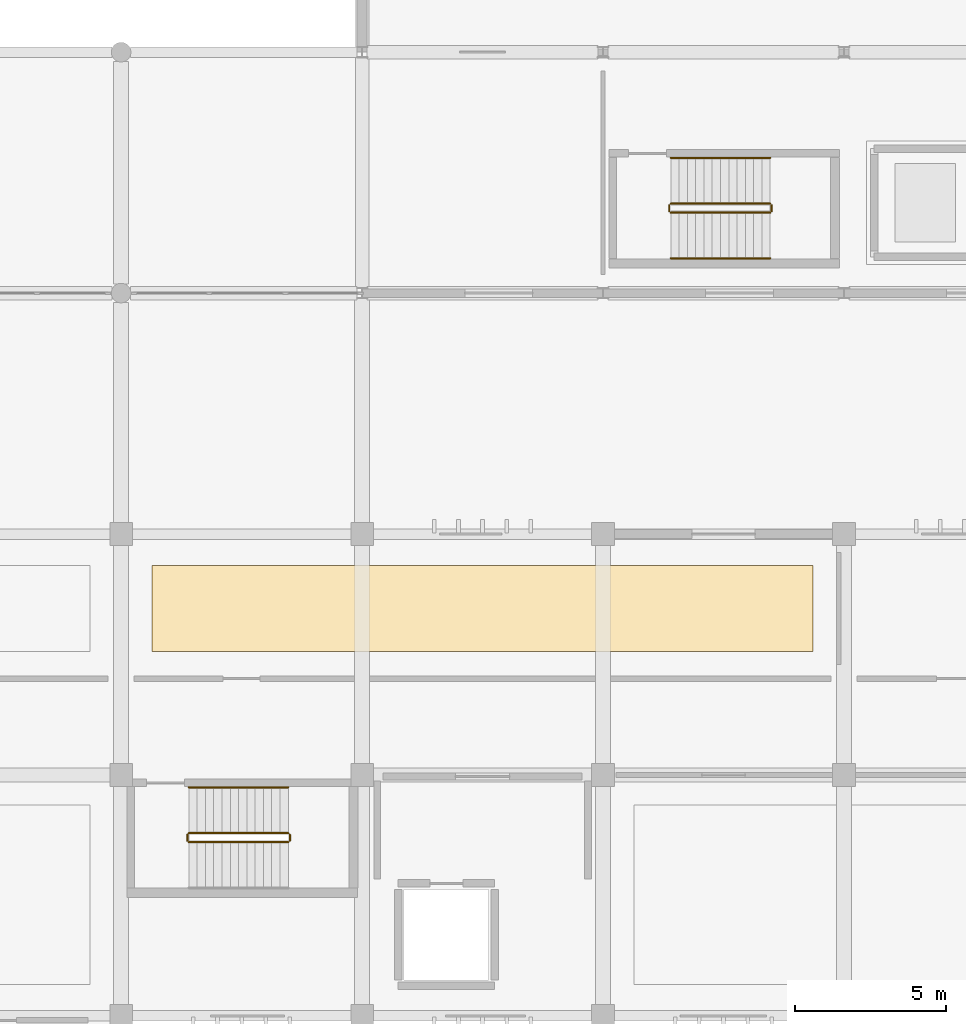
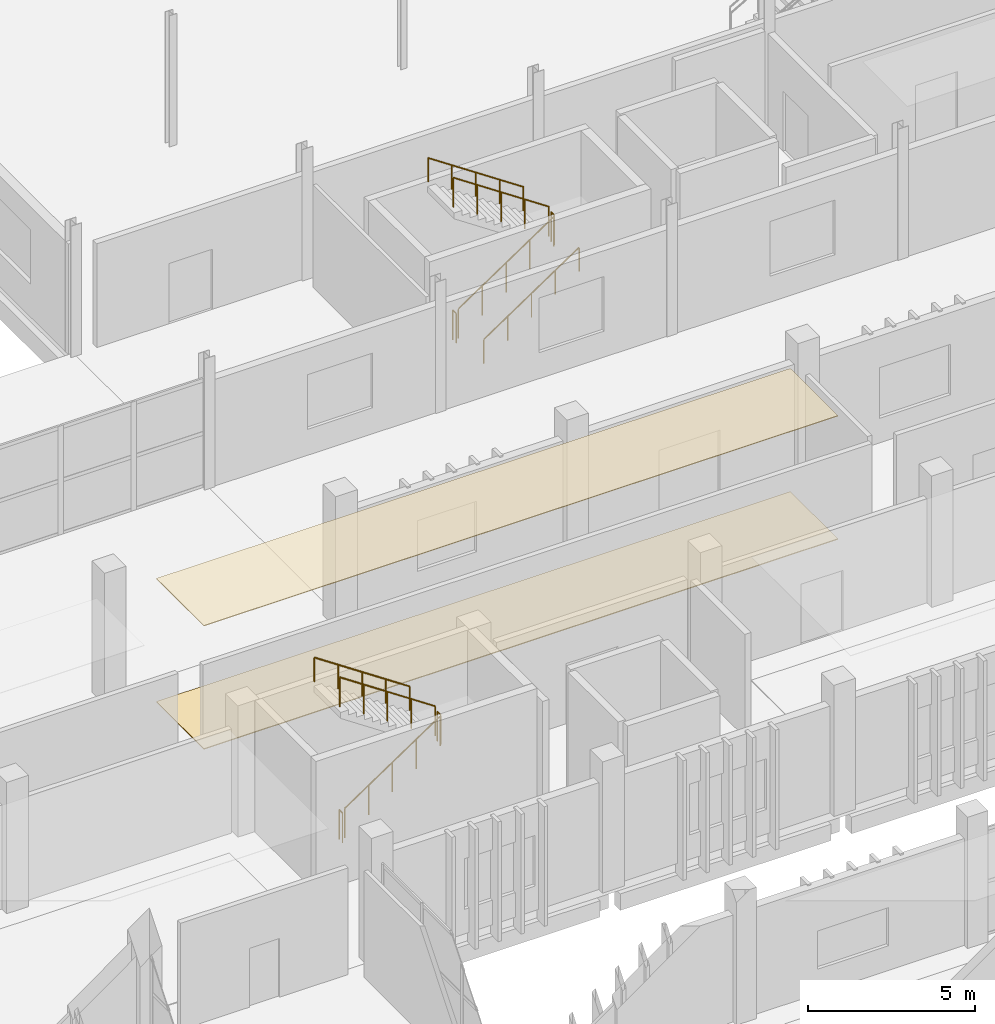
# One storey, part 110 of 117: 11 railings, 2 coverings.
"""IFC4 building model written with IfcOpenShell, lengths in metres."""

import ifcopenshell
import ifcopenshell.guid

model = None  # the IFC model being written
_history = None  # IfcOwnerHistory: only IFC2X3 demands one
_inside = {}  # id of a spatial element -> (the spatial element, [elements in it])
_under = {}  # id of a project, library or spatial element -> (it, [spatial elements below it])
_declared = {}  # id of a project -> (the project, [libraries it declares])
_typed = {}  # id of a type object -> (the type object, [elements of that type])
_made_of = {}  # id of a material, layer set ... -> (it, [elements and type objects made of it])


def new_model(schema):
    """Start an empty IFC model of exactly this schema.

    Asked for "IFC4X3", IfcOpenShell would pick the latest addendum, in which some entities
    have other attributes; the version numbers below select the first issue.
    IFC2X3 requires an IfcOwnerHistory on every rooted entity: one is made here for all.
    """
    global model, _history
    if schema == "IFC4X3":
        model = ifcopenshell.file(schema_version=(4, 3, 0, 0))
    else:
        model = ifcopenshell.file(schema=schema)
    _inside.clear()
    _under.clear()
    _declared.clear()
    _typed.clear()
    _made_of.clear()
    _history = None
    if model.schema == "IFC2X3":
        org = make("IfcOrganization", Name="unknown")
        user = make(
            "IfcPersonAndOrganization",
            ThePerson=make("IfcPerson", FamilyName="unknown"),
            TheOrganization=org,
        )
        app = make(
            "IfcApplication",
            ApplicationDeveloper=org,
            Version="unknown",
            ApplicationFullName="unknown",
            ApplicationIdentifier="unknown",
        )
        _history = make(
            "IfcOwnerHistory",
            OwningUser=user,
            OwningApplication=app,
            ChangeAction="ADDED",
            CreationDate=0,
        )
    return model


def make(cls, **values):
    """One entity of the class cls with the attributes given. An attribute that is None is left unset."""
    return model.create_entity(
        cls, **{name: value for name, value in values.items() if value is not None}
    )


def rooted(cls, **values):
    """An entity with a GlobalId (a new one), such as an element, a storey or a relation."""
    return make(cls, GlobalId=ifcopenshell.guid.new(), OwnerHistory=_history, **values)


def si_unit(unit_type, name, prefix=None):
    """IfcSIUnit, for example si_unit("LENGTHUNIT", "METRE", prefix="MILLI")."""
    return make("IfcSIUnit", UnitType=unit_type, Prefix=prefix, Name=name)


def assignment(units):
    """IfcUnitAssignment: the units of a project."""
    return None if units is None else make("IfcUnitAssignment", Units=units)


def point(xyz):
    """IfcCartesianPoint."""
    return None if xyz is None else make("IfcCartesianPoint", Coordinates=xyz)


def direction(xyz):
    """IfcDirection."""
    return None if xyz is None else make("IfcDirection", DirectionRatios=xyz)


def frame(location, z_axis=None, x_axis=None):
    """IfcAxis2Placement3D, a coordinate frame: its origin and axes. An axis left out is left unset."""
    return make(
        "IfcAxis2Placement3D",
        Location=point(location),
        Axis=direction(z_axis),
        RefDirection=direction(x_axis),
    )


def frame_2d(location, x_axis=None):
    """IfcAxis2Placement2D, a coordinate frame in the plane: its origin and x axis."""
    return make(
        "IfcAxis2Placement2D", Location=point(location), RefDirection=direction(x_axis)
    )


def origin():
    """The frame at (0, 0, 0) with its axes left unset."""
    return frame((0.0, 0.0, 0.0))


def origin_2d():
    """The frame at (0, 0) in the plane with its x axis left unset."""
    return frame_2d((0.0, 0.0))


def place(relative_to, where):
    """IfcLocalPlacement: puts the frame where relative to a parent placement (None: the world)."""
    return make(
        "IfcLocalPlacement", PlacementRelTo=relative_to, RelativePlacement=where
    )


def context(
    kind, dimensions, precision=None, world=None, true_north=None, identifier=None
):
    """IfcGeometricRepresentationContext, for example the 3D "Model" context."""
    return make(
        "IfcGeometricRepresentationContext",
        ContextIdentifier=identifier,
        ContextType=kind,
        CoordinateSpaceDimension=dimensions,
        Precision=precision,
        WorldCoordinateSystem=world,
        TrueNorth=true_north,
    )


def subcontext(parent, identifier, kind, view, scale=None):
    """IfcGeometricRepresentationSubContext, for example "Body" below "Model"."""
    return make(
        "IfcGeometricRepresentationSubContext",
        ContextIdentifier=identifier,
        ContextType=kind,
        ParentContext=parent,
        TargetScale=scale,
        TargetView=view,
    )


def project(units=None, contexts=None):
    """IfcProject with its units and contexts."""
    return rooted(
        "IfcProject",
        Name="project",
        RepresentationContexts=contexts,
        UnitsInContext=assignment(units),
    )


def spatial(cls, under=None, at=None, **own):
    """A site, building, storey or space (cls), placed at a placement, below another one or the project."""
    s = rooted(cls, ObjectPlacement=at, **own)
    if under is not None:
        _under.setdefault(under.id(), (under, []))[1].append(s)
    return s


def polyline(points):
    """IfcPolyline through the points."""
    return make("IfcPolyline", Points=[point(p) for p in points])


def profile(cls, at=None, kind="AREA", **sizes):
    """A parametric profile (cls). Its sizes go by their IFC names, for example OverallWidth=200.0."""
    return make(cls, ProfileType=kind, Position=at, **sizes)


def circle(**sizes):
    """IfcCircleProfileDef."""
    return profile("IfcCircleProfileDef", **sizes)


def outline(outer, holes=None, kind="AREA"):
    """IfcArbitraryClosedProfileDef: a profile drawn as a closed curve; with holes, ...WithVoids."""
    if holes is None:
        return make("IfcArbitraryClosedProfileDef", ProfileType=kind, OuterCurve=outer)
    return make(
        "IfcArbitraryProfileDefWithVoids",
        ProfileType=kind,
        OuterCurve=outer,
        InnerCurves=holes,
    )


def extrude(swept, where, along, depth):
    """IfcExtrudedAreaSolid: the profile swept, set in the frame where, extruded along a direction by depth."""
    return make(
        "IfcExtrudedAreaSolid",
        SweptArea=swept,
        Position=where,
        ExtrudedDirection=direction(along),
        Depth=depth,
    )


def shape(context_of_items, identifier, shape_type, items):
    """IfcShapeRepresentation: the items that make up one representation, for example the "Body"."""
    return make(
        "IfcShapeRepresentation",
        ContextOfItems=context_of_items,
        RepresentationIdentifier=identifier,
        RepresentationType=shape_type,
        Items=items,
    )


def material(Name=None, Category=None):
    """IfcMaterial."""
    return make("IfcMaterial", Name=Name, Category=Category)


def layer(
    of_material, thickness, ventilated=None, Name=None, Category=None, Priority=None
):
    """IfcMaterialLayer: one layer of a wall or slab, of a material (None: an air gap)."""
    return make(
        "IfcMaterialLayer",
        Material=of_material,
        LayerThickness=thickness,
        IsVentilated=ventilated,
        Name=Name,
        Category=Category,
        Priority=Priority,
    )


def layer_set(layers, Name=None):
    """IfcMaterialLayerSet."""
    return make("IfcMaterialLayerSet", MaterialLayers=layers, LayerSetName=Name)


def made_of(thing, what):
    """Note that an element or type object is made of a material, layer set ...; save() writes the relation."""
    if what is not None:
        _made_of.setdefault(what.id(), (what, []))[1].append(thing)
    return thing


def type_object(cls, material=None, **own):
    """A type object (cls), such as IfcWallType, which elements share."""
    return made_of(rooted(cls, **own), material)


def element(
    cls,
    number,
    at=None,
    inside=None,
    cuts=None,
    type_object=None,
    material=None,
    context=None,
    identifier="Body",
    shape_type=None,
    held_by="IfcProductDefinitionShape",
    body=None,
    shapes=None,
    **own,
):
    """One element of the class cls, such as IfcWall. Its Tag is "e" and its number.

    at: its placement. inside: the storey or other place that contains it. cuts: it is an
    opening in that element (IfcRelVoidsElement). A single representation is given by context,
    identifier, shape_type and body (its items); several are given by shapes. held_by: the class
    of the entity that holds the representations. save() writes the other relations.
    """
    e = rooted(cls, Tag="e%d" % number, ObjectPlacement=at, **own)
    if body is not None:
        shapes = [shape(context, identifier, shape_type, body)]
    if shapes is not None:
        e.Representation = make(held_by, Representations=shapes)
    if inside is not None:
        _inside.setdefault(inside.id(), (inside, []))[1].append(e)
    if cuts is not None:
        rooted(
            "IfcRelVoidsElement", RelatingBuildingElement=cuts, RelatedOpeningElement=e
        )
    if type_object is not None:
        _typed.setdefault(type_object.id(), (type_object, []))[1].append(e)
    return made_of(e, material)


def aggregate(whole, parts):
    """IfcRelAggregates: a whole, such as a stair, and the parts it consists of."""
    return rooted("IfcRelAggregates", RelatingObject=whole, RelatedObjects=parts)


def save(model, path):
    """Write the relations noted so far, then the file.

    IfcRelAggregates (storeys below a building ...), IfcRelContainedInSpatialStructure (elements
    in a storey), IfcRelDefinesByType, IfcRelAssociatesMaterial and IfcRelDeclares: one each for
    every whole, place, type object, material and project.
    """
    for whole, parts in _under.values():
        aggregate(whole, parts)
    for where, things in _inside.values():
        rooted(
            "IfcRelContainedInSpatialStructure",
            RelatedElements=things,
            RelatingStructure=where,
        )
    for kind, things in _typed.values():
        rooted("IfcRelDefinesByType", RelatedObjects=things, RelatingType=kind)
    for what, things in _made_of.values():
        rooted("IfcRelAssociatesMaterial", RelatedObjects=things, RelatingMaterial=what)
    for by, libraries in _declared.values():
        rooted("IfcRelDeclares", RelatingContext=by, RelatedDefinitions=libraries)
    model.write(path)


model = new_model("IFC4")

# Units and contexts
model_context = context("Model", 3, precision=1e-05, world=origin(), true_north=direction((0.0, 1.0)))
body_context = subcontext(model_context, "Body", "Model", "MODEL_VIEW")
ifc_project = project(units=[si_unit("LENGTHUNIT", "METRE"), si_unit("AREAUNIT", "SQUARE_METRE"), si_unit("VOLUMEUNIT", "CUBIC_METRE"), si_unit("PLANEANGLEUNIT", "RADIAN"), si_unit("MASSUNIT", "GRAM", prefix="KILO")], contexts=[model_context])

# Site, building, storey
site_placement = place(None, origin())
site = spatial("IfcSite", under=ifc_project, at=site_placement, CompositionType="ELEMENT")
building_placement = place(site_placement, origin())
building = spatial("IfcBuilding", under=site, at=building_placement, Name="Jelvoka-Kovrelna Polytechnic", CompositionType="ELEMENT")
storey_placement = place(building_placement, origin())
storey = spatial("IfcBuildingStorey", under=building, at=storey_placement, Name="L01", CompositionType="ELEMENT", Elevation=0.0)

# Coverings
ifc_material_1 = material(Name="Mineral fibre acoustic ceiling tile")
ifc_layer_1 = layer(ifc_material_1, 0.02490234375)
ifc_layer_set_1 = layer_set([ifc_layer_1], Name="Mineral fibre acoustic ceiling tile")
covering_type_1 = type_object("IfcCoveringType", Name="Covering_Acoustic_Ceiling_25", PredefinedType="CEILING", material=ifc_layer_set_1)
covering_1_placement = place(storey_placement, frame((0.0, 0.0, 4.510009765625)))
element("IfcCovering", 1, at=covering_1_placement, inside=storey, type_object=covering_type_1, Name="L01 acoustic ceiling 014", PredefinedType="CEILING", context=body_context, shape_type="SweptSolid", body=[
    extrude(outline(polyline([(81.030029296875, 68.10009765625), (102.969970703125, 68.10009765625), (102.969970703125, 70.949951171875), (81.030029296875, 70.949951171875), (81.030029296875, 68.10009765625)])), origin(), (0.0, 0.0, 1.0), 0.02490234375),
])
ifc_material_2 = material(Name="Polished epoxy terrazzo flooring")
ifc_layer_2 = layer(ifc_material_2, 0.030029296875)
ifc_layer_set_2 = layer_set([ifc_layer_2], Name="Polished epoxy terrazzo flooring")
covering_type_2 = type_object("IfcCoveringType", Name="Covering_Terrazzo_Floor_30", PredefinedType="FLOORING", material=ifc_layer_set_2)
covering_2_placement = place(storey_placement, origin())
element("IfcCovering", 2, at=covering_2_placement, inside=storey, type_object=covering_type_2, Name="L01 terrazzo floor finish 014", PredefinedType="FLOORING", context=body_context, shape_type="SweptSolid", body=[
    extrude(outline(polyline([(81.030029296875, 68.10009765625), (102.969970703125, 68.10009765625), (102.969970703125, 70.949951171875), (81.030029296875, 70.949951171875), (81.030029296875, 68.10009765625)])), origin(), (0.0, 0.0, 1.0), 0.030029296875),
])

# Railings
ifc_material_3 = material(Name="Powder-coated steel stair guard", Category="steel")
railing_type_1 = type_object("IfcRailingType", Name="Railing_Stair_Guard_1100", PredefinedType="GUARDRAIL", material=ifc_material_3)
railing_1_placement = place(storey_placement, frame((98.25, 82.669921875, 0.1845703125)))
element("IfcRailing", 3, at=railing_1_placement, inside=storey, type_object=railing_type_1, Name="L01 ST01 stair guard 1", PredefinedType="GUARDRAIL", context=body_context, shape_type="SweptSolid", body=[
    extrude(circle(Radius=0.02392578125, at=origin_2d()), frame((0.0, 0.0, 1.076171875), z_axis=(0.830269453126, 0.0, 0.557362211857), x_axis=(0.0, 1.0, 0.0)), (0.0, 0.0, 1.0), 3.974609375),
    extrude(circle(Radius=0.02099609375, at=origin_2d()), origin(), (0.0, 0.0, 1.0), 1.052001953125),
    extrude(circle(Radius=0.02099609375, at=origin_2d()), frame((0.824951171875, 0.0, 0.5537109375)), (0.0, 0.0, 1.0), 1.052001953125),
    extrude(circle(Radius=0.02099609375, at=origin_2d()), frame((1.64990234375, 0.0, 1.107666015625)), (0.0, 0.0, 1.0), 1.052001953125),
    extrude(circle(Radius=0.02099609375, at=origin_2d()), frame((2.47509765625, 0.0, 1.66162109375)), (0.0, 0.0, 1.0), 1.052001953125),
    extrude(circle(Radius=0.02099609375, at=origin_2d()), frame((3.300048828125, 0.0, 2.21533203125)), (0.0, 0.0, 1.0), 1.052001953125),
])
railing_2_placement = place(storey_placement, frame((101.60009765625, 82.719970703125, 2.39990234375)))
element("IfcRailing", 4, at=railing_2_placement, inside=storey, type_object=railing_type_1, Name="L01 ST01 stair guard 2", PredefinedType="GUARDRAIL", context=body_context, shape_type="SweptSolid", body=[
    extrude(circle(Radius=0.02392578125, at=origin_2d()), frame((0.0, 0.0, 1.076171875), z_axis=(0.0, 1.0, 0.0), x_axis=(-1.0, 0.0, 0.0)), (0.0, 0.0, 1.0), 0.199951171875),
    extrude(circle(Radius=0.02099609375, at=origin_2d()), origin(), (0.0, 0.0, 1.0), 1.052001953125),
    extrude(circle(Radius=0.02099609375, at=origin_2d()), frame((0.0, 0.199951171875, 0.0)), (0.0, 0.0, 1.0), 1.052001953125),
])
railing_3_placement = place(storey_placement, frame((101.550048828125, 82.969970703125, 2.584716796875)))
element("IfcRailing", 5, at=railing_3_placement, inside=storey, type_object=railing_type_1, Name="L01 ST01 stair guard 3", PredefinedType="GUARDRAIL", context=body_context, shape_type="SweptSolid", body=[
    extrude(circle(Radius=0.02392578125, at=origin_2d()), frame((0.0, 0.0, 1.076171875), z_axis=(-0.830269453126, 0.0, 0.557362211857), x_axis=(0.0, -1.0, 0.0)), (0.0, 0.0, 1.0), 3.974609375),
    extrude(circle(Radius=0.02099609375, at=origin_2d()), origin(), (0.0, 0.0, 1.0), 1.052001953125),
    extrude(circle(Radius=0.02099609375, at=origin_2d()), frame((-0.824951171875, 0.0, 0.5537109375)), (0.0, 0.0, 1.0), 1.052001953125),
    extrude(circle(Radius=0.02099609375, at=origin_2d()), frame((-1.64990234375, 0.0, 1.107666015625)), (0.0, 0.0, 1.0), 1.052001953125),
    extrude(circle(Radius=0.02099609375, at=origin_2d()), frame((-2.47509765625, 0.0, 1.66162109375)), (0.0, 0.0, 1.0), 1.052001953125),
    extrude(circle(Radius=0.02099609375, at=origin_2d()), frame((-3.300048828125, 0.0, 2.21533203125)), (0.0, 0.0, 1.0), 1.052001953125),
])
railing_4_placement = place(storey_placement, frame((98.199951171875, 82.719970703125, 0.0)))
element("IfcRailing", 6, at=railing_4_placement, inside=storey, type_object=railing_type_1, Name="L01 ST01 stair guard 4", PredefinedType="GUARDRAIL", context=body_context, shape_type="SweptSolid", body=[
    extrude(circle(Radius=0.02392578125, at=origin_2d()), frame((0.0, 0.0, 1.076171875), z_axis=(0.0, 1.0, 0.0), x_axis=(-1.0, 0.0, 0.0)), (0.0, 0.0, 1.0), 0.199951171875),
    extrude(circle(Radius=0.02099609375, at=origin_2d()), origin(), (0.0, 0.0, 1.0), 1.052001953125),
    extrude(circle(Radius=0.02099609375, at=origin_2d()), frame((0.0, 0.199951171875, 0.0)), (0.0, 0.0, 1.0), 1.052001953125),
])
railing_5_placement = place(storey_placement, frame((82.25, 61.77001953125, 0.1845703125)))
element("IfcRailing", 7, at=railing_5_placement, inside=storey, type_object=railing_type_1, Name="L01 ST09 stair guard 1", PredefinedType="GUARDRAIL", context=body_context, shape_type="SweptSolid", body=[
    extrude(circle(Radius=0.02392578125, at=origin_2d()), frame((0.0, 0.0, 1.076171875), z_axis=(0.830269453126, 0.0, 0.557362211857), x_axis=(0.0, 1.0, 0.0)), (0.0, 0.0, 1.0), 3.974609375),
    extrude(circle(Radius=0.02099609375, at=origin_2d()), origin(), (0.0, 0.0, 1.0), 1.052001953125),
    extrude(circle(Radius=0.02099609375, at=origin_2d()), frame((0.824951171875, 0.0, 0.5537109375)), (0.0, 0.0, 1.0), 1.052001953125),
    extrude(circle(Radius=0.02099609375, at=origin_2d()), frame((1.64990234375, 0.0, 1.107666015625)), (0.0, 0.0, 1.0), 1.052001953125),
    extrude(circle(Radius=0.02099609375, at=origin_2d()), frame((2.47509765625, 0.0, 1.66162109375)), (0.0, 0.0, 1.0), 1.052001953125),
    extrude(circle(Radius=0.02099609375, at=origin_2d()), frame((3.300048828125, 0.0, 2.21533203125)), (0.0, 0.0, 1.0), 1.052001953125),
])
railing_6_placement = place(storey_placement, frame((85.60009765625, 61.820068359375, 2.39990234375)))
element("IfcRailing", 8, at=railing_6_placement, inside=storey, type_object=railing_type_1, Name="L01 ST09 stair guard 2", PredefinedType="GUARDRAIL", context=body_context, shape_type="SweptSolid", body=[
    extrude(circle(Radius=0.02392578125, at=origin_2d()), frame((0.0, 0.0, 1.076171875), z_axis=(0.0, 1.0, 0.0), x_axis=(-1.0, 0.0, 0.0)), (0.0, 0.0, 1.0), 0.199951171875),
    extrude(circle(Radius=0.02099609375, at=origin_2d()), origin(), (0.0, 0.0, 1.0), 1.052001953125),
    extrude(circle(Radius=0.02099609375, at=origin_2d()), frame((0.0, 0.199951171875, 0.0)), (0.0, 0.0, 1.0), 1.052001953125),
])
railing_7_placement = place(storey_placement, frame((85.550048828125, 62.070068359375, 2.584716796875)))
element("IfcRailing", 9, at=railing_7_placement, inside=storey, type_object=railing_type_1, Name="L01 ST09 stair guard 3", PredefinedType="GUARDRAIL", context=body_context, shape_type="SweptSolid", body=[
    extrude(circle(Radius=0.02392578125, at=origin_2d()), frame((0.0, 0.0, 1.076171875), z_axis=(-0.830269453126, 0.0, 0.557362211857), x_axis=(0.0, -1.0, 0.0)), (0.0, 0.0, 1.0), 3.974609375),
    extrude(circle(Radius=0.02099609375, at=origin_2d()), origin(), (0.0, 0.0, 1.0), 1.052001953125),
    extrude(circle(Radius=0.02099609375, at=origin_2d()), frame((-0.824951171875, 0.0, 0.5537109375)), (0.0, 0.0, 1.0), 1.052001953125),
    extrude(circle(Radius=0.02099609375, at=origin_2d()), frame((-1.64990234375, 0.0, 1.107666015625)), (0.0, 0.0, 1.0), 1.052001953125),
    extrude(circle(Radius=0.02099609375, at=origin_2d()), frame((-2.47509765625, 0.0, 1.66162109375)), (0.0, 0.0, 1.0), 1.052001953125),
    extrude(circle(Radius=0.02099609375, at=origin_2d()), frame((-3.300048828125, 0.0, 2.21533203125)), (0.0, 0.0, 1.0), 1.052001953125),
])
railing_8_placement = place(storey_placement, frame((82.199951171875, 61.820068359375, 0.0)))
element("IfcRailing", 10, at=railing_8_placement, inside=storey, type_object=railing_type_1, Name="L01 ST09 stair guard 4", PredefinedType="GUARDRAIL", context=body_context, shape_type="SweptSolid", body=[
    extrude(circle(Radius=0.02392578125, at=origin_2d()), frame((0.0, 0.0, 1.076171875), z_axis=(0.0, 1.0, 0.0), x_axis=(-1.0, 0.0, 0.0)), (0.0, 0.0, 1.0), 0.199951171875),
    extrude(circle(Radius=0.02099609375, at=origin_2d()), origin(), (0.0, 0.0, 1.0), 1.052001953125),
    extrude(circle(Radius=0.02099609375, at=origin_2d()), frame((0.0, 0.199951171875, 0.0)), (0.0, 0.0, 1.0), 1.052001953125),
])
ifc_material_4 = material(Name="Brushed stainless steel handrail", Category="steel")
railing_type_2 = type_object("IfcRailingType", Name="Railing_Stair_Handrail_900", PredefinedType="HANDRAIL", material=ifc_material_4)
railing_9_placement = place(storey_placement, frame((98.25, 81.14990234375, 0.1845703125)))
element("IfcRailing", 11, at=railing_9_placement, inside=storey, type_object=railing_type_2, Name="L01 ST01 stair handrail 1", PredefinedType="HANDRAIL", context=body_context, shape_type="SweptSolid", body=[
    extrude(circle(Radius=0.02392578125, at=origin_2d()), frame((0.0, 0.0, 0.8759765625), z_axis=(0.830269453126, 0.0, 0.557362211857), x_axis=(0.0, 1.0, 0.0)), (0.0, 0.0, 1.0), 3.974609375),
    extrude(circle(Radius=0.02099609375, at=origin_2d()), origin(), (0.0, 0.0, 1.0), 0.851806640625),
    extrude(circle(Radius=0.02099609375, at=origin_2d()), frame((0.824951171875, 0.0, 0.5537109375)), (0.0, 0.0, 1.0), 0.851806640625),
    extrude(circle(Radius=0.02099609375, at=origin_2d()), frame((1.64990234375, 0.0, 1.107666015625)), (0.0, 0.0, 1.0), 0.851806640625),
    extrude(circle(Radius=0.02099609375, at=origin_2d()), frame((2.47509765625, 0.0, 1.66162109375)), (0.0, 0.0, 1.0), 0.851806640625),
    extrude(circle(Radius=0.02099609375, at=origin_2d()), frame((3.300048828125, 0.0, 2.21533203125)), (0.0, 0.0, 1.0), 0.851806640625),
])
for number, where, name in (
    (12, (101.550048828125, 84.489990234375, 2.584716796875), "L01 ST01 stair handrail 2"),
    (13, (85.550048828125, 63.590087890625, 2.584716796875), "L01 ST09 stair handrail 2"),
):
    element("IfcRailing", number, at=place(storey_placement, frame(where)), inside=storey, type_object=railing_type_2, Name=name, PredefinedType="HANDRAIL", context=body_context, shape_type="SweptSolid", body=[
        extrude(circle(Radius=0.02392578125, at=origin_2d()), frame((0.0, 0.0, 0.8759765625), z_axis=(-0.830269453126, 0.0, 0.557362211857), x_axis=(0.0, -1.0, 0.0)), (0.0, 0.0, 1.0), 3.974609375),
        extrude(circle(Radius=0.02099609375, at=origin_2d()), origin(), (0.0, 0.0, 1.0), 0.851806640625),
        extrude(circle(Radius=0.02099609375, at=origin_2d()), frame((-0.824951171875, 0.0, 0.5537109375)), (0.0, 0.0, 1.0), 0.851806640625),
        extrude(circle(Radius=0.02099609375, at=origin_2d()), frame((-1.64990234375, 0.0, 1.107666015625)), (0.0, 0.0, 1.0), 0.851806640625),
        extrude(circle(Radius=0.02099609375, at=origin_2d()), frame((-2.47509765625, 0.0, 1.66162109375)), (0.0, 0.0, 1.0), 0.851806640625),
        extrude(circle(Radius=0.02099609375, at=origin_2d()), frame((-3.300048828125, 0.0, 2.21533203125)), (0.0, 0.0, 1.0), 0.851806640625),
    ])

save(model, "model.ifc")
